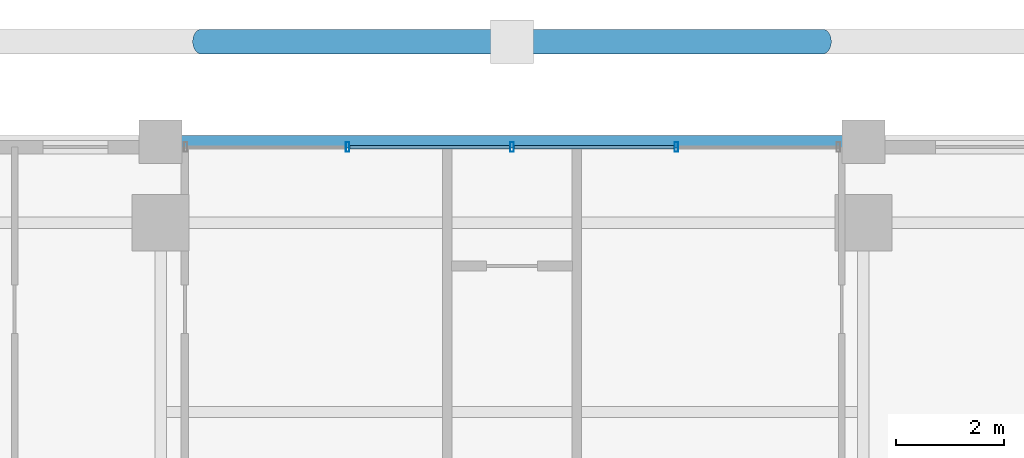
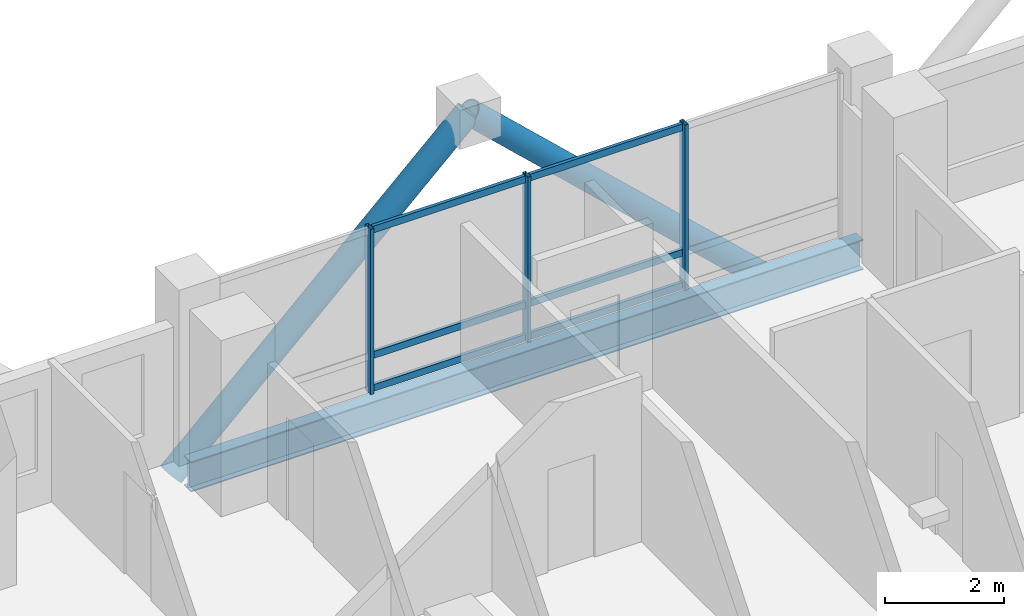
# One storey, part 15 of 24: 11 members, 1 beam, 1 element without a shape of its own.
"""IFC4 building model written with IfcOpenShell, lengths in metres."""

from ifc_helpers import new_model, si_unit, direction, frame, origin, origin_2d, place, context, subcontext, project, spatial, hollow_rectangle, hollow_circle, i_section, extrude, material, layer, layer_set, material_profile, profile_set, type_object, element, aggregate, save


model = new_model("IFC4")

# Units and contexts
model_context = context("Model", 3, precision=1e-05, world=origin(), true_north=direction((0.0, 1.0)))
body_context = subcontext(model_context, "Body", "Model", "MODEL_VIEW")
ifc_project = project(units=[si_unit("LENGTHUNIT", "METRE"), si_unit("AREAUNIT", "SQUARE_METRE"), si_unit("VOLUMEUNIT", "CUBIC_METRE"), si_unit("PLANEANGLEUNIT", "RADIAN"), si_unit("MASSUNIT", "GRAM", prefix="KILO")], contexts=[model_context])

# Site, building, storey
site_placement = place(None, origin())
site = spatial("IfcSite", under=ifc_project, at=site_placement, CompositionType="ELEMENT")
building_placement = place(site_placement, origin())
building = spatial("IfcBuilding", under=site, at=building_placement, Name="Barlavira Tower and Art Museum", CompositionType="ELEMENT")
storey_placement = place(building_placement, frame((0.0, 0.0, 194.39990234375)))
storey = spatial("IfcBuildingStorey", under=building, at=storey_placement, Name="L50", CompositionType="ELEMENT", Elevation=194.39990234375)

# Curtain wall, members
ifc_material_1 = material(Name="Low-iron coastal laminated glass", Category="glass")
ifc_layer = layer(ifc_material_1, 0.199951171875, Name="Low-iron coastal laminated glass")
ifc_layer_set = layer_set([ifc_layer], Name="Low-iron coastal laminated glass")
curtain_wall_type = type_object("IfcCurtainWallType", Name="Pale-Metal Unitised Curtain Wall Zone 3", PredefinedType="NOTDEFINED", material=ifc_layer_set)
curtain_wall_placement = place(storey_placement, origin())
curtain_wall = element("IfcCurtainWall", 1, at=curtain_wall_placement, inside=storey, type_object=curtain_wall_type, Name="L50 Curtain Wall CW3-L50-N-B3", PredefinedType="NOTDEFINED")
ifc_material_2 = material(Name="Pale anodised aluminium", Category="aluminium")
ifc_material_profile_1 = material_profile(ifc_material_2, hollow_rectangle(XDim=0.06494140625, YDim=0.179931640625, WallThickness=0.00390625, at=origin_2d()), Name="ALU-MULL 65x180x4")
ifc_profile_set_1 = profile_set([ifc_material_profile_1], Name="Pale anodised aluminium")
member_type_1 = type_object("IfcMemberType", Name="Curtain Wall Pale-Metal Mullion 65x180", PredefinedType="MULLION", material=ifc_profile_set_1)
member_1_placement = place(storey_placement, frame((3.0400390625, 21.39990234375, 0.0), z_axis=(0.0, 0.0, 1.0), x_axis=(-1.0, 0.0, 0.0)))
member_1 = element("IfcMember", 2, at=member_1_placement, type_object=member_type_1, Name="CW3-L50-N-B3 Mullion 1", PredefinedType="MULLION", context=body_context, shape_type="SweptSolid", body=[
    extrude(hollow_rectangle(XDim=0.06494140625, YDim=0.179931640625, WallThickness=0.00390625, at=origin_2d()), origin(), (0.0, 0.0, 1.0), 3.380126953125),
])
member_2_placement = place(storey_placement, frame((0.0, 21.39990234375, 0.0), z_axis=(0.0, 0.0, 1.0), x_axis=(-1.0, 0.0, 0.0)))
member_2 = element("IfcMember", 3, at=member_2_placement, type_object=member_type_1, Name="CW3-L50-N-B3 Mullion 2", PredefinedType="MULLION", context=body_context, shape_type="SweptSolid", body=[
    extrude(hollow_rectangle(XDim=0.06494140625, YDim=0.179931640625, WallThickness=0.00390625, at=origin_2d()), origin(), (0.0, 0.0, 1.0), 3.380126953125),
])
member_3_placement = place(storey_placement, frame((-3.0400390625, 21.39990234375, 0.0), z_axis=(0.0, 0.0, 1.0), x_axis=(-1.0, 0.0, 0.0)))
member_3 = element("IfcMember", 4, at=member_3_placement, type_object=member_type_1, Name="CW3-L50-N-B3 Mullion 3", PredefinedType="MULLION", context=body_context, shape_type="SweptSolid", body=[
    extrude(hollow_rectangle(XDim=0.06494140625, YDim=0.179931640625, WallThickness=0.00390625, at=origin_2d()), origin(), (0.0, 0.0, 1.0), 3.380126953125),
])
ifc_material_profile_2 = material_profile(ifc_material_2, hollow_rectangle(XDim=0.06494140625, YDim=0.139892578125, WallThickness=0.00390625, at=origin_2d()), Name="ALU-TRAN 65x140x4")
ifc_profile_set_2 = profile_set([ifc_material_profile_2], Name="Pale anodised aluminium")
member_type_2 = type_object("IfcMemberType", Name="Curtain Wall Pale-Metal Transom 65x140", PredefinedType="USERDEFINED", material=ifc_profile_set_2)
member_4_placement = place(storey_placement, frame((2.9951171875, 21.39990234375, 0.070068359375), z_axis=(-1.0, 0.0, 0.0), x_axis=(0.0, -1.0, 0.0)))
member_4 = element("IfcMember", 5, at=member_4_placement, type_object=member_type_2, Name="CW3-L50-N-B3 Transom 1.1", ObjectType="TRANSOM", PredefinedType="USERDEFINED", context=body_context, shape_type="SweptSolid", body=[
    extrude(hollow_rectangle(XDim=0.06494140625, YDim=0.139892578125, WallThickness=0.00390625, at=origin_2d()), origin(), (0.0, 0.0, 1.0), 2.9501953125),
])
member_5_placement = place(storey_placement, frame((2.9951171875, 21.39990234375, 0.744140625), z_axis=(-1.0, 0.0, 0.0), x_axis=(0.0, -1.0, 0.0)))
member_5 = element("IfcMember", 6, at=member_5_placement, type_object=member_type_2, Name="CW3-L50-N-B3 Transom 1.2", ObjectType="TRANSOM", PredefinedType="USERDEFINED", context=body_context, shape_type="SweptSolid", body=[
    extrude(hollow_rectangle(XDim=0.06494140625, YDim=0.139892578125, WallThickness=0.00390625, at=origin_2d()), origin(), (0.0, 0.0, 1.0), 2.9501953125),
])
member_6_placement = place(storey_placement, frame((2.9951171875, 21.39990234375, 3.31005859375), z_axis=(-1.0, 0.0, 0.0), x_axis=(0.0, -1.0, 0.0)))
member_6 = element("IfcMember", 7, at=member_6_placement, type_object=member_type_2, Name="CW3-L50-N-B3 Transom 1.3", ObjectType="TRANSOM", PredefinedType="USERDEFINED", context=body_context, shape_type="SweptSolid", body=[
    extrude(hollow_rectangle(XDim=0.06494140625, YDim=0.139892578125, WallThickness=0.00390625, at=origin_2d()), origin(), (0.0, 0.0, 1.0), 2.9501953125),
])
member_7_placement = place(storey_placement, frame((-0.044921875, 21.39990234375, 0.070068359375), z_axis=(-1.0, 0.0, 0.0), x_axis=(0.0, -1.0, 0.0)))
member_7 = element("IfcMember", 8, at=member_7_placement, type_object=member_type_2, Name="CW3-L50-N-B3 Transom 2.1", ObjectType="TRANSOM", PredefinedType="USERDEFINED", context=body_context, shape_type="SweptSolid", body=[
    extrude(hollow_rectangle(XDim=0.06494140625, YDim=0.139892578125, WallThickness=0.00390625, at=origin_2d()), origin(), (0.0, 0.0, 1.0), 2.9501953125),
])
member_8_placement = place(storey_placement, frame((-0.044921875, 21.39990234375, 0.744140625), z_axis=(-1.0, 0.0, 0.0), x_axis=(0.0, -1.0, 0.0)))
member_8 = element("IfcMember", 9, at=member_8_placement, type_object=member_type_2, Name="CW3-L50-N-B3 Transom 2.2", ObjectType="TRANSOM", PredefinedType="USERDEFINED", context=body_context, shape_type="SweptSolid", body=[
    extrude(hollow_rectangle(XDim=0.06494140625, YDim=0.139892578125, WallThickness=0.00390625, at=origin_2d()), origin(), (0.0, 0.0, 1.0), 2.9501953125),
])
member_9_placement = place(storey_placement, frame((-0.044921875, 21.39990234375, 3.31005859375), z_axis=(-1.0, 0.0, 0.0), x_axis=(0.0, -1.0, 0.0)))
member_9 = element("IfcMember", 10, at=member_9_placement, type_object=member_type_2, Name="CW3-L50-N-B3 Transom 2.3", ObjectType="TRANSOM", PredefinedType="USERDEFINED", context=body_context, shape_type="SweptSolid", body=[
    extrude(hollow_rectangle(XDim=0.06494140625, YDim=0.139892578125, WallThickness=0.00390625, at=origin_2d()), origin(), (0.0, 0.0, 1.0), 2.9501953125),
])
aggregate(curtain_wall, [member_1, member_2, member_3, member_4, member_5, member_6, member_7, member_8, member_9])

# Members
ifc_material_3 = material(Name="Steel S355", Category="steel")
ifc_material_profile_3 = material_profile(ifc_material_3, hollow_circle(Radius=0.228515625, WallThickness=0.02001953125, at=origin_2d()), Name="CHS 457.0x20.0")
ifc_profile_set_3 = profile_set([ifc_material_profile_3], Name="Steel S355")
member_type_3 = type_object("IfcMemberType", Name="Pale-Metal Exoskeleton Diagrid Tube CHS 457x20 Steel S355", PredefinedType="BRACE", material=ifc_profile_set_3)
for number, where, z_axis, x_axis, name in (
    (11, (-5.75, 23.35009765625, -1.919921875), (0.728950095515, 0.0, 0.684566839869), (0.0, 1.0, 0.0), "L50 Exoskeleton Diagrid Tube N"),
    (12, (5.75, 23.35009765625, -1.919921875), (-0.728950095515, 0.0, 0.684566839869), (0.0, -1.0, 0.0), "L50 Exoskeleton Diagrid Tube N"),
):
    element("IfcMember", number, at=place(storey_placement, frame(where, z_axis=z_axis, x_axis=x_axis)), inside=storey, type_object=member_type_3, Name=name, PredefinedType="BRACE", context=body_context, shape_type="SweptSolid", body=[
        extrude(hollow_circle(Radius=0.228515625, WallThickness=0.02001953125, at=origin_2d()), origin(), (0.0, 0.0, 1.0), 7.887939453125),
    ])

# Beam
ifc_material_profile_4 = material_profile(ifc_material_3, i_section(OverallWidth=0.22998046875, OverallDepth=0.616943359375, WebThickness=0.01318359375, FlangeThickness=0.022216796875, at=origin_2d()), Name="W610x140.0")
ifc_profile_set_4 = profile_set([ifc_material_profile_4], Name="Steel S355")
beam_type = type_object("IfcBeamType", Name="Upper Shaft Spandrel Edge Beam W610x140 Steel S355", PredefinedType="SPANDREL", material=ifc_profile_set_4)
beam_placement = place(storey_placement, frame((-6.5, 21.5, -0.5283203125), z_axis=(1.0, 0.0, 0.0), x_axis=(0.0, 1.0, 0.0)))
element("IfcBeam", 13, at=beam_placement, inside=storey, type_object=beam_type, Name="L50 Spandrel 10", PredefinedType="SPANDREL", context=body_context, shape_type="SweptSolid", body=[
    extrude(i_section(OverallWidth=0.22998046875, OverallDepth=0.616943359375, WebThickness=0.01318359375, FlangeThickness=0.022216796875, at=origin_2d()), origin(), (0.0, 0.0, 1.0), 13.0),
])

save(model, "model.ifc")
